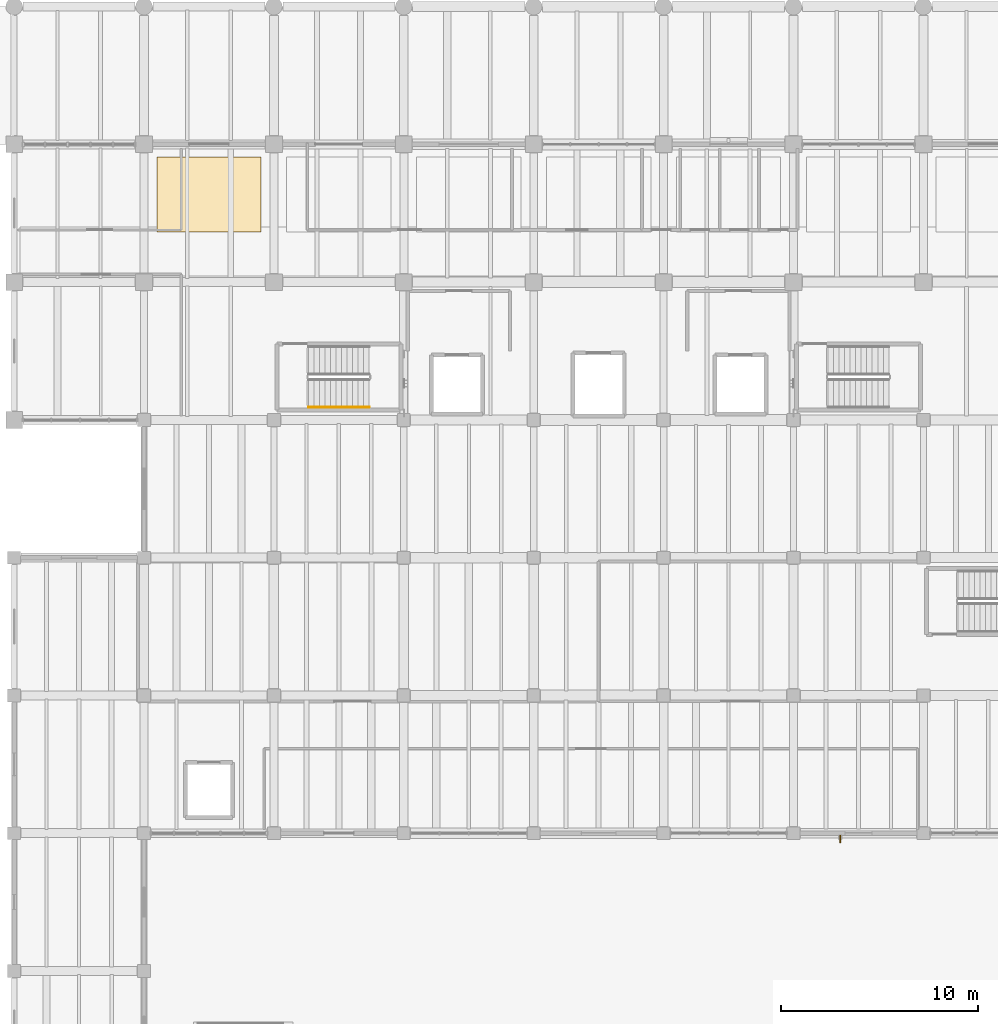
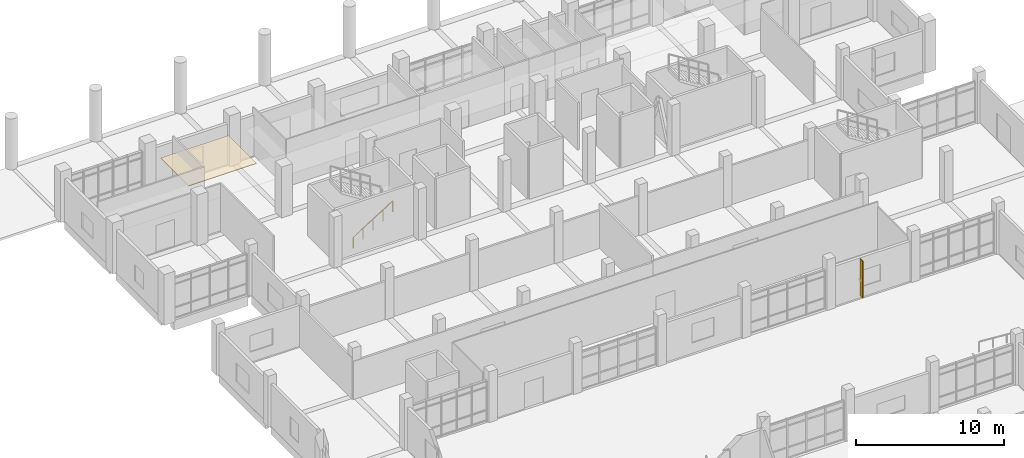
# One storey, part 64 of 69: 1 covering, 1 railing, 1 shading device.
"""IFC4 building model written with IfcOpenShell, lengths in metres."""

from ifc_helpers import new_model, si_unit, direction, frame, origin, origin_2d, place, context, subcontext, project, spatial, polyline, rectangle, circle, outline, extrude, material, layer, layer_set, material_profile, profile_set, type_object, element, save


model = new_model("IFC4")

# Units and contexts
model_context = context("Model", 3, precision=1e-05, world=origin(), true_north=direction((0.0, 1.0)))
body_context = subcontext(model_context, "Body", "Model", "MODEL_VIEW")
ifc_project = project(units=[si_unit("LENGTHUNIT", "METRE"), si_unit("AREAUNIT", "SQUARE_METRE"), si_unit("VOLUMEUNIT", "CUBIC_METRE"), si_unit("PLANEANGLEUNIT", "RADIAN"), si_unit("MASSUNIT", "GRAM", prefix="KILO")], contexts=[model_context])

# Site, building, storey
site_placement = place(None, origin())
site = spatial("IfcSite", under=ifc_project, at=site_placement, CompositionType="ELEMENT")
building_placement = place(site_placement, origin())
building = spatial("IfcBuilding", under=site, at=building_placement, Name="Ciguamira Faculty of Natural Sciences", CompositionType="ELEMENT")
storey_placement = place(building_placement, origin())
storey = spatial("IfcBuildingStorey", under=building, at=storey_placement, Name="L00", CompositionType="ELEMENT", Elevation=0.0)

# Covering
ifc_material_1 = material(Name="Perforated white acoustic ceiling")
ifc_layer = layer(ifc_material_1, 0.0400390625, Name="Perforated white acoustic ceiling")
ifc_layer_set = layer_set([ifc_layer], Name="Perforated white acoustic ceiling")
covering_type = type_object("IfcCoveringType", Name="AcousticCeiling_AC01", PredefinedType="CEILING", material=ifc_layer_set)
covering_placement = place(storey_placement, frame((0.0, 0.0, 2.760009765625)))
element("IfcCovering", 1, at=covering_placement, inside=storey, type_object=covering_type, Name="L00 research bay 01 acoustic ceiling", PredefinedType="CEILING", context=body_context, shape_type="SweptSolid", body=[
    extrude(outline(polyline([(64.550048828125, 103.550048828125), (69.85009765625, 103.550048828125), (69.85009765625, 107.35009765625), (64.550048828125, 107.35009765625), (64.550048828125, 103.550048828125)])), origin(), (0.0, 0.0, 1.0), 0.0400390625),
])

# Railing
ifc_material_2 = material(Name="Stainless steel handrail", Category="steel")
railing_type = type_object("IfcRailingType", Name="Handrail_HR01", PredefinedType="HANDRAIL", material=ifc_material_2)
railing_placement = place(storey_placement, frame((72.260009765625, 94.64990234375, 0.35009765625)))
element("IfcRailing", 2, at=railing_placement, inside=storey, type_object=railing_type, Name="L00 ST-T1 stair handrail 1", PredefinedType="HANDRAIL", context=body_context, shape_type="SweptSolid", body=[
    extrude(circle(Radius=0.02392578125, at=origin_2d()), frame((0.0, 0.0, 0.89111328125), z_axis=(0.848028513186, 0.0, 0.529950602248), x_axis=(0.0, 1.0, 0.0)), (0.0, 0.0, 1.0), 3.632080078125),
    extrude(circle(Radius=0.02099609375, at=origin_2d()), origin(), (0.0, 0.0, 1.0), 0.866943359375),
    extrude(circle(Radius=0.02099609375, at=origin_2d()), frame((0.77001953125, 0.0, 0.481201171875)), (0.0, 0.0, 1.0), 0.866943359375),
    extrude(circle(Radius=0.02099609375, at=origin_2d()), frame((1.5400390625, 0.0, 0.96240234375)), (0.0, 0.0, 1.0), 0.866943359375),
    extrude(circle(Radius=0.02099609375, at=origin_2d()), frame((2.31005859375, 0.0, 1.443603515625)), (0.0, 0.0, 1.0), 0.866943359375),
    extrude(circle(Radius=0.02099609375, at=origin_2d()), frame((3.080078125, 0.0, 1.9248046875)), (0.0, 0.0, 1.0), 0.866943359375),
])

# Shading device
ifc_material_3 = material(Name="Anodized bronze sunshade fin")
ifc_material_profile = material_profile(ifc_material_3, rectangle(XDim=0.06494140625, YDim=0.3798828125, at=origin_2d()), Name="BRZ-FIN-65X380")
ifc_profile_set = profile_set([ifc_material_profile], Name="Anodized bronze sunshade fin")
shading_device_type = type_object("IfcShadingDeviceType", Name="SunFin_SF01", PredefinedType="USERDEFINED", material=ifc_profile_set)
shading_device_placement = place(storey_placement, frame((99.27490234375, 72.699951171875, 0.199951171875), z_axis=(0.0, 0.0, 1.0), x_axis=(1.0, 0.0, 0.0)))
element("IfcShadingDevice", 3, at=shading_device_placement, inside=storey, type_object=shading_device_type, Name="L00 bronze vertical sunshade fin 0007", ObjectType="SUNSHADE FIN", PredefinedType="USERDEFINED", context=body_context, shape_type="SweptSolid", body=[
    extrude(rectangle(XDim=0.06494140625, YDim=0.3798828125, at=origin_2d()), origin(), (0.0, 0.0, 1.0), 3.03515625),
])

save(model, "model.ifc")
